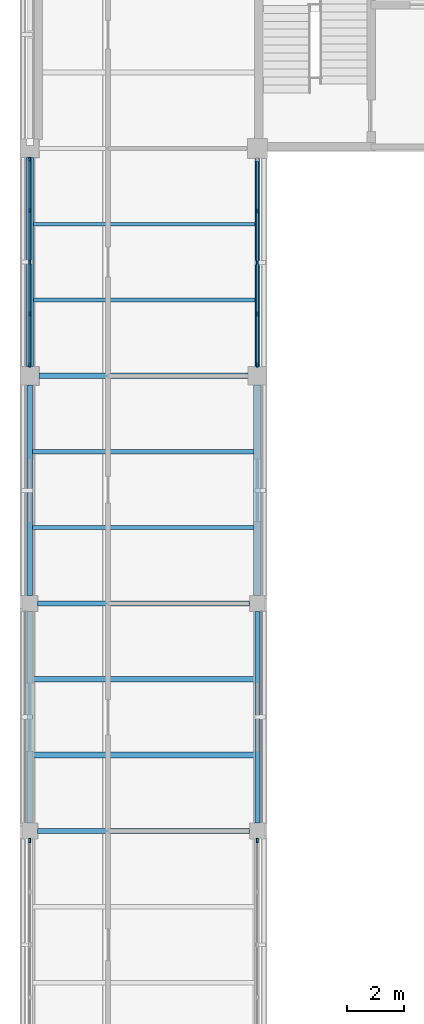
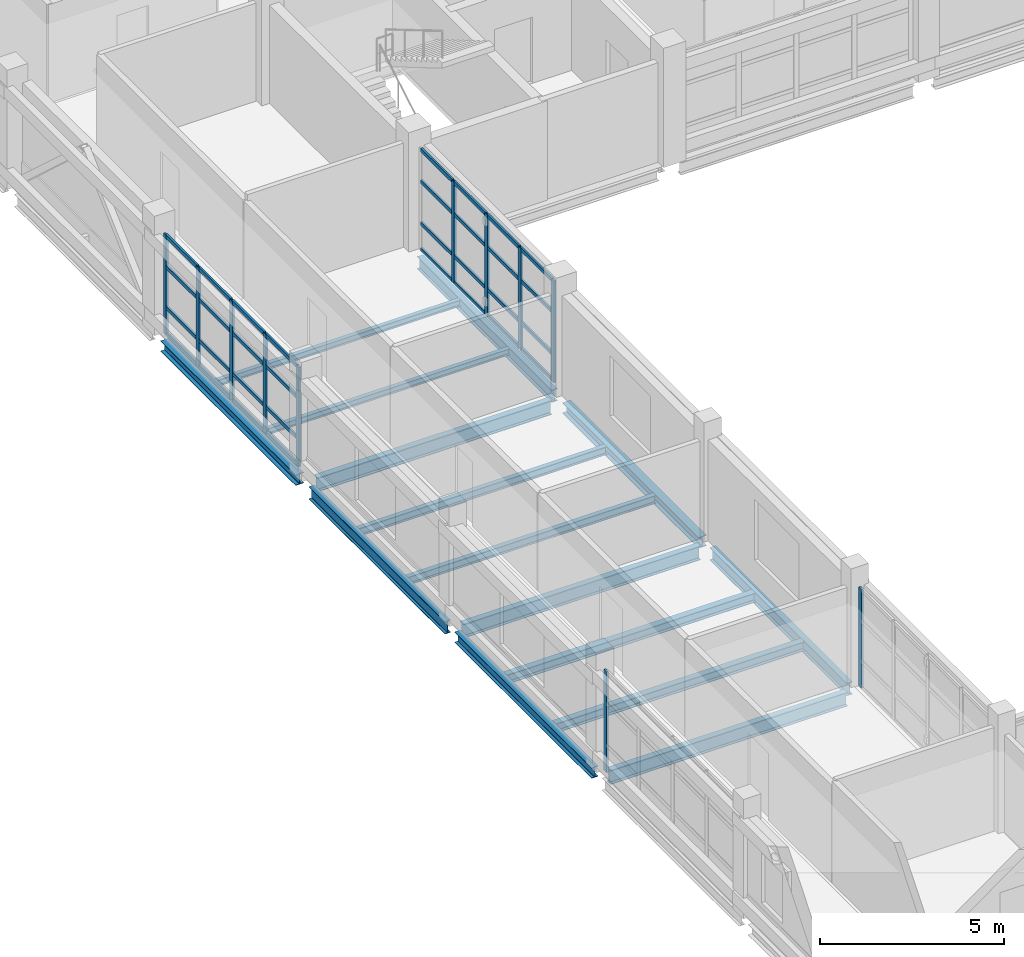
# One storey, part 23 of 92: 43 members, 15 beams, 4 elements without a shape of their own.
"""IFC4 building model written with IfcOpenShell, lengths in metres."""

from ifc_helpers import new_model, si_unit, derived_unit, direction, frame, origin, origin_2d, place, context, subcontext, project, spatial, rectangle, i_section, extrude, material, layer, layer_set, material_profile, profile_set, type_object, element, aggregate, save


model = new_model("IFC4")

# Units and contexts
model_context = context("Model", 3, precision=1e-05, world=origin(), true_north=direction((0.0, 1.0)))
body_context = subcontext(model_context, "Body", "Model", "MODEL_VIEW")
ifc_project = project(units=[si_unit("LENGTHUNIT", "METRE"), si_unit("AREAUNIT", "SQUARE_METRE"), si_unit("VOLUMEUNIT", "CUBIC_METRE"), si_unit("PLANEANGLEUNIT", "RADIAN"), si_unit("MASSUNIT", "GRAM", prefix="KILO"), derived_unit("THERMALTRANSMITTANCEUNIT", [(si_unit("MASSUNIT", "GRAM", prefix="KILO"), 1), (si_unit("TIMEUNIT", "SECOND"), -3), (si_unit("THERMODYNAMICTEMPERATUREUNIT", "KELVIN"), -1)])], contexts=[model_context])

# Site, building, storey
site_placement = place(None, origin())
site = spatial("IfcSite", under=ifc_project, at=site_placement, CompositionType="ELEMENT")
building_placement = place(site_placement, origin())
building = spatial("IfcBuilding", under=site, at=building_placement, Name="Veyamyaing Civic Hall", CompositionType="ELEMENT")
storey_placement = place(building_placement, frame((0.0, 0.0, 17.820068359375)))
storey = spatial("IfcBuildingStorey", under=building, at=storey_placement, Name="L04", CompositionType="ELEMENT", Elevation=17.820068359375)

# Beams
ifc_material_1 = material(Name="Steel ASTM A992", Category="steel")
ifc_material_profile_1 = material_profile(ifc_material_1, i_section(OverallWidth=0.19189453125, OverallDepth=0.462890625, WebThickness=0.010498046875, FlangeThickness=0.017578125, FilletRadius=0.010009765625, at=origin_2d()), Name="W460X89")
ifc_profile_set_1 = profile_set([ifc_material_profile_1], Name="Steel ASTM A992")
beam_type_1 = type_object("IfcBeamType", Name="B-08", PredefinedType="BEAM", material=ifc_profile_set_1)
beam_1_placement = place(storey_placement, frame((0.27490234375, 64.0, -0.466552734375), z_axis=(1.0, 0.0, 0.0), x_axis=(0.0, 1.0, 0.0)))
element("IfcBeam", 1, at=beam_1_placement, inside=storey, type_object=beam_type_1, Name="Girder B-08 L04 Grid J 1-2", PredefinedType="BEAM", context=body_context, shape_type="SweptSolid", body=[
    extrude(i_section(OverallWidth=0.19189453125, OverallDepth=0.462890625, WebThickness=0.010498046875, FlangeThickness=0.017578125, FilletRadius=0.010009765625, at=origin_2d()), origin(), (0.0, 0.0, 1.0), 7.4501953125),
])
ifc_material_profile_2 = material_profile(ifc_material_1, i_section(OverallWidth=0.18994140625, OverallDepth=0.45703125, WebThickness=0.009033203125, FlangeThickness=0.014404296875, FilletRadius=0.010009765625, at=origin_2d()), Name="W460X74")
ifc_profile_set_2 = profile_set([ifc_material_profile_2], Name="Steel ASTM A992")
beam_type_2 = type_object("IfcBeamType", Name="B-09", PredefinedType="BEAM", material=ifc_profile_set_2)
beam_2_placement = place(storey_placement, frame((0.27490234375, 72.0, -0.463623046875), z_axis=(1.0, 0.0, 0.0), x_axis=(0.0, 1.0, 0.0)))
element("IfcBeam", 2, at=beam_2_placement, inside=storey, type_object=beam_type_2, Name="Girder B-09 L04 Grid K 1-2", PredefinedType="BEAM", context=body_context, shape_type="SweptSolid", body=[
    extrude(i_section(OverallWidth=0.18994140625, OverallDepth=0.45703125, WebThickness=0.009033203125, FlangeThickness=0.014404296875, FilletRadius=0.010009765625, at=origin_2d()), origin(), (0.0, 0.0, 1.0), 7.4501953125),
])
ifc_material_profile_3 = material_profile(ifc_material_1, i_section(OverallWidth=0.179931640625, OverallDepth=0.4130859375, WebThickness=0.009765625, FlangeThickness=0.01611328125, FilletRadius=0.010009765625, at=origin_2d()), Name="W410X74")
ifc_profile_set_3 = profile_set([ifc_material_profile_3], Name="Steel ASTM A992")
beam_type_3 = type_object("IfcBeamType", Name="B-10", PredefinedType="SPANDREL", material=ifc_profile_set_3)
beam_3_placement = place(storey_placement, frame((8.0, 80.324951171875, -0.441650390625), z_axis=(0.0, 1.0, 0.0), x_axis=(-1.0, 0.0, 0.0)))
element("IfcBeam", 3, at=beam_3_placement, inside=storey, type_object=beam_type_3, Name="Girder B-10 L04 Grid 2 L-M", PredefinedType="SPANDREL", context=body_context, shape_type="SweptSolid", body=[
    extrude(i_section(OverallWidth=0.179931640625, OverallDepth=0.4130859375, WebThickness=0.009765625, FlangeThickness=0.01611328125, FilletRadius=0.010009765625, at=origin_2d()), origin(), (0.0, 0.0, 1.0), 7.324951171875),
])
ifc_material_profile_4 = material_profile(ifc_material_1, i_section(OverallWidth=0.2041015625, OverallDepth=0.35009765625, WebThickness=0.0078125, FlangeThickness=0.01513671875, FilletRadius=0.010009765625, at=origin_2d()), Name="W360X72")
ifc_profile_set_4 = profile_set([ifc_material_profile_4], Name="Steel ASTM A992")
beam_type_4 = type_object("IfcBeamType", Name="B-11", PredefinedType="SPANDREL", material=ifc_profile_set_4)
beam_4_placement = place(storey_placement, frame((0.0, 64.27490234375, -0.41015625), z_axis=(0.0, 1.0, 0.0), x_axis=(-1.0, 0.0, 0.0)))
element("IfcBeam", 4, at=beam_4_placement, inside=storey, type_object=beam_type_4, Name="Girder B-11 L04 Grid 1 J-K", PredefinedType="SPANDREL", context=body_context, shape_type="SweptSolid", body=[
    extrude(i_section(OverallWidth=0.2041015625, OverallDepth=0.35009765625, WebThickness=0.0078125, FlangeThickness=0.01513671875, FilletRadius=0.010009765625, at=origin_2d()), origin(), (0.0, 0.0, 1.0), 7.4501953125),
])
ifc_material_profile_5 = material_profile(ifc_material_1, i_section(OverallWidth=0.194091796875, OverallDepth=0.468994140625, WebThickness=0.0126953125, FlangeThickness=0.0205078125, FilletRadius=0.010009765625, at=origin_2d()), Name="W460X106")
ifc_profile_set_5 = profile_set([ifc_material_profile_5], Name="Steel ASTM A992")
beam_type_5 = type_object("IfcBeamType", Name="B-18", PredefinedType="BEAM", material=ifc_profile_set_5)
beam_5_placement = place(storey_placement, frame((0.324951171875, 80.0, -0.469482421875), z_axis=(1.0, 0.0, 0.0), x_axis=(0.0, 1.0, 0.0)))
element("IfcBeam", 5, at=beam_5_placement, inside=storey, type_object=beam_type_5, Name="Girder B-18 L04 Grid L 1-2", PredefinedType="BEAM", context=body_context, shape_type="SweptSolid", body=[
    extrude(i_section(OverallWidth=0.194091796875, OverallDepth=0.468994140625, WebThickness=0.0126953125, FlangeThickness=0.0205078125, FilletRadius=0.010009765625, at=origin_2d()), origin(), (0.0, 0.0, 1.0), 7.35009765625),
])
ifc_material_profile_6 = material_profile(ifc_material_1, i_section(OverallWidth=0.180908203125, OverallDepth=0.4169921875, WebThickness=0.010986328125, FlangeThickness=0.018310546875, FilletRadius=0.010009765625, at=origin_2d()), Name="W410X85")
ifc_profile_set_6 = profile_set([ifc_material_profile_6], Name="Steel ASTM A992")
beam_type_6 = type_object("IfcBeamType", Name="B-19", PredefinedType="SPANDREL", material=ifc_profile_set_6)
beam_6_placement = place(storey_placement, frame((0.0, 72.27490234375, -0.443603515625), z_axis=(0.0, 1.0, 0.0), x_axis=(-1.0, 0.0, 0.0)))
element("IfcBeam", 6, at=beam_6_placement, inside=storey, type_object=beam_type_6, Name="Girder B-19 L04 Grid 1 K-L", PredefinedType="SPANDREL", context=body_context, shape_type="SweptSolid", body=[
    extrude(i_section(OverallWidth=0.180908203125, OverallDepth=0.4169921875, WebThickness=0.010986328125, FlangeThickness=0.018310546875, FilletRadius=0.010009765625, at=origin_2d()), origin(), (0.0, 0.0, 1.0), 7.400146484375),
])
beam_7_placement = place(storey_placement, frame((8.0, 64.27490234375, -0.443603515625), z_axis=(0.0, 1.0, 0.0), x_axis=(-1.0, 0.0, 0.0)))
element("IfcBeam", 7, at=beam_7_placement, inside=storey, type_object=beam_type_6, Name="Girder B-19 L04 Grid 2 J-K", PredefinedType="SPANDREL", context=body_context, shape_type="SweptSolid", body=[
    extrude(i_section(OverallWidth=0.180908203125, OverallDepth=0.4169921875, WebThickness=0.010986328125, FlangeThickness=0.018310546875, FilletRadius=0.010009765625, at=origin_2d()), origin(), (0.0, 0.0, 1.0), 7.4501953125),
])
ifc_material_profile_7 = material_profile(ifc_material_1, i_section(OverallWidth=0.25390625, OverallDepth=0.35302734375, WebThickness=0.009521484375, FlangeThickness=0.016357421875, FilletRadius=0.011962890625, at=origin_2d()), Name="W360X91")
ifc_profile_set_7 = profile_set([ifc_material_profile_7], Name="Steel ASTM A992")
beam_type_7 = type_object("IfcBeamType", Name="B-20", PredefinedType="SPANDREL", material=ifc_profile_set_7)
beam_8_placement = place(storey_placement, frame((0.0, 80.324951171875, -0.41162109375), z_axis=(0.0, 1.0, 0.0), x_axis=(-1.0, 0.0, 0.0)))
element("IfcBeam", 8, at=beam_8_placement, inside=storey, type_object=beam_type_7, Name="Girder B-20 L04 Grid 1 L-M", PredefinedType="SPANDREL", context=body_context, shape_type="SweptSolid", body=[
    extrude(i_section(OverallWidth=0.25390625, OverallDepth=0.35302734375, WebThickness=0.009521484375, FlangeThickness=0.016357421875, FilletRadius=0.011962890625, at=origin_2d()), origin(), (0.0, 0.0, 1.0), 7.35009765625),
])
beam_9_placement = place(storey_placement, frame((8.0, 72.27490234375, -0.41162109375), z_axis=(0.0, 1.0, 0.0), x_axis=(-1.0, 0.0, 0.0)))
element("IfcBeam", 9, at=beam_9_placement, inside=storey, type_object=beam_type_7, Name="Girder B-20 L04 Grid 2 K-L", PredefinedType="SPANDREL", context=body_context, shape_type="SweptSolid", body=[
    extrude(i_section(OverallWidth=0.25390625, OverallDepth=0.35302734375, WebThickness=0.009521484375, FlangeThickness=0.016357421875, FilletRadius=0.011962890625, at=origin_2d()), origin(), (0.0, 0.0, 1.0), 7.400146484375),
])

# Curtain wall, member
ifc_material_2 = material(Name="Anodised aluminium 6063-T6", Category="aluminium")
ifc_layer = layer(ifc_material_2, 0.159912109375, Name="Anodised aluminium 6063-T6")
ifc_layer_set = layer_set([ifc_layer], Name="Anodised aluminium 6063-T6")
curtain_wall_type = type_object("IfcCurtainWallType", Name="CW-08", PredefinedType="NOTDEFINED", material=ifc_layer_set)
curtain_wall_1_placement = place(storey_placement, origin())
curtain_wall_1 = element("IfcCurtainWall", 10, at=curtain_wall_1_placement, inside=storey, type_object=curtain_wall_type, Name="Unitized curtain wall CW-08 L04 W 1.8", PredefinedType="NOTDEFINED")
ifc_material_profile_8 = material_profile(ifc_material_2, rectangle(XDim=0.06494140625, YDim=0.159912109375, at=origin_2d()), Name="ALU-MUL-65X160")
ifc_profile_set_8 = profile_set([ifc_material_profile_8], Name="Anodised aluminium 6063-T6")
member_type_1 = type_object("IfcMemberType", Name="CWM-01", PredefinedType="MULLION", material=ifc_profile_set_8)
member_1_placement = place(storey_placement, frame((0.0, 63.66259765625, 0.0), z_axis=(0.0, 0.0, 1.0), x_axis=(-1.0, 0.0, 0.0)))
member_1 = element("IfcMember", 11, at=member_1_placement, type_object=member_type_1, Name="CW-08 mullion 5", PredefinedType="MULLION", context=body_context, shape_type="SweptSolid", body=[
    extrude(rectangle(XDim=0.06494140625, YDim=0.159912109375, at=origin_2d()), origin(), (0.0, 0.0, 1.0), 3.35205078125),
])
aggregate(curtain_wall_1, [member_1])

curtain_wall_2_placement = place(storey_placement, origin())
curtain_wall_2 = element("IfcCurtainWall", 12, at=curtain_wall_2_placement, inside=storey, type_object=curtain_wall_type, Name="Unitized curtain wall CW-08 L04 E 1.8", PredefinedType="NOTDEFINED")
member_2_placement = place(storey_placement, frame((8.0, 63.66259765625, 0.0), z_axis=(0.0, 0.0, 1.0), x_axis=(-1.0, 0.0, 0.0)))
member_2 = element("IfcMember", 13, at=member_2_placement, type_object=member_type_1, Name="CW-08 mullion 5", PredefinedType="MULLION", context=body_context, shape_type="SweptSolid", body=[
    extrude(rectangle(XDim=0.06494140625, YDim=0.159912109375, at=origin_2d()), origin(), (0.0, 0.0, 1.0), 3.284912109375),
])
aggregate(curtain_wall_2, [member_2])

# Curtain wall, members
curtain_wall_3_placement = place(storey_placement, origin())
curtain_wall_3 = element("IfcCurtainWall", 14, at=curtain_wall_3_placement, inside=storey, type_object=curtain_wall_type, Name="Unitized curtain wall CW-08 L04 W 1.11", PredefinedType="NOTDEFINED")
member_3_placement = place(storey_placement, frame((0.0, 80.387451171875, 0.0), z_axis=(0.0, 0.0, 1.0), x_axis=(-1.0, 0.0, 0.0)))
member_3 = element("IfcMember", 15, at=member_3_placement, type_object=member_type_1, Name="CW-08 mullion 1", PredefinedType="MULLION", context=body_context, shape_type="SweptSolid", body=[
    extrude(rectangle(XDim=0.06494140625, YDim=0.159912109375, at=origin_2d()), origin(), (0.0, 0.0, 1.0), 3.308837890625),
])
member_4_placement = place(storey_placement, frame((0.0, 82.177490234375, 0.0), z_axis=(0.0, 0.0, 1.0), x_axis=(-1.0, 0.0, 0.0)))
member_4 = element("IfcMember", 16, at=member_4_placement, type_object=member_type_1, Name="CW-08 mullion 2", PredefinedType="MULLION", context=body_context, shape_type="SweptSolid", body=[
    extrude(rectangle(XDim=0.06494140625, YDim=0.159912109375, at=origin_2d()), origin(), (0.0, 0.0, 1.0), 3.308837890625),
])
member_5_placement = place(storey_placement, frame((0.0, 84.0, 0.0), z_axis=(0.0, 0.0, 1.0), x_axis=(-1.0, 0.0, 0.0)))
member_5 = element("IfcMember", 17, at=member_5_placement, type_object=member_type_1, Name="CW-08 mullion 3", PredefinedType="MULLION", context=body_context, shape_type="SweptSolid", body=[
    extrude(rectangle(XDim=0.06494140625, YDim=0.159912109375, at=origin_2d()), origin(), (0.0, 0.0, 1.0), 3.308837890625),
])
member_6_placement = place(storey_placement, frame((0.0, 85.822509765625, 0.0), z_axis=(0.0, 0.0, 1.0), x_axis=(-1.0, 0.0, 0.0)))
member_6 = element("IfcMember", 18, at=member_6_placement, type_object=member_type_1, Name="CW-08 mullion 4", PredefinedType="MULLION", context=body_context, shape_type="SweptSolid", body=[
    extrude(rectangle(XDim=0.06494140625, YDim=0.159912109375, at=origin_2d()), origin(), (0.0, 0.0, 1.0), 3.308837890625),
])
member_7_placement = place(storey_placement, frame((0.0, 87.612548828125, 0.0), z_axis=(0.0, 0.0, 1.0), x_axis=(-1.0, 0.0, 0.0)))
member_7 = element("IfcMember", 19, at=member_7_placement, type_object=member_type_1, Name="CW-08 mullion 5", PredefinedType="MULLION", context=body_context, shape_type="SweptSolid", body=[
    extrude(rectangle(XDim=0.06494140625, YDim=0.159912109375, at=origin_2d()), origin(), (0.0, 0.0, 1.0), 3.308837890625),
])

curtain_wall_4_placement = place(storey_placement, origin())
curtain_wall_4 = element("IfcCurtainWall", 20, at=curtain_wall_4_placement, inside=storey, type_object=curtain_wall_type, Name="Unitized curtain wall CW-08 L04 E 1.11", PredefinedType="NOTDEFINED")
member_8_placement = place(storey_placement, frame((8.0, 80.387451171875, 0.0), z_axis=(0.0, 0.0, 1.0), x_axis=(-1.0, 0.0, 0.0)))
member_8 = element("IfcMember", 21, at=member_8_placement, type_object=member_type_1, Name="CW-08 mullion 1", PredefinedType="MULLION", context=body_context, shape_type="SweptSolid", body=[
    extrude(rectangle(XDim=0.06494140625, YDim=0.159912109375, at=origin_2d()), origin(), (0.0, 0.0, 1.0), 3.371826171875),
])
member_9_placement = place(storey_placement, frame((8.0, 82.171142578125, 0.0), z_axis=(0.0, 0.0, 1.0), x_axis=(-1.0, 0.0, 0.0)))
member_9 = element("IfcMember", 22, at=member_9_placement, type_object=member_type_1, Name="CW-08 mullion 2", PredefinedType="MULLION", context=body_context, shape_type="SweptSolid", body=[
    extrude(rectangle(XDim=0.06494140625, YDim=0.159912109375, at=origin_2d()), origin(), (0.0, 0.0, 1.0), 3.371826171875),
])
member_10_placement = place(storey_placement, frame((8.0, 83.987548828125, 0.0), z_axis=(0.0, 0.0, 1.0), x_axis=(-1.0, 0.0, 0.0)))
member_10 = element("IfcMember", 23, at=member_10_placement, type_object=member_type_1, Name="CW-08 mullion 3", PredefinedType="MULLION", context=body_context, shape_type="SweptSolid", body=[
    extrude(rectangle(XDim=0.06494140625, YDim=0.159912109375, at=origin_2d()), origin(), (0.0, 0.0, 1.0), 3.371826171875),
])
member_11_placement = place(storey_placement, frame((8.0, 85.8037109375, 0.0), z_axis=(0.0, 0.0, 1.0), x_axis=(-1.0, 0.0, 0.0)))
member_11 = element("IfcMember", 24, at=member_11_placement, type_object=member_type_1, Name="CW-08 mullion 4", PredefinedType="MULLION", context=body_context, shape_type="SweptSolid", body=[
    extrude(rectangle(XDim=0.06494140625, YDim=0.159912109375, at=origin_2d()), origin(), (0.0, 0.0, 1.0), 3.371826171875),
])

# Member
ifc_material_profile_9 = material_profile(ifc_material_2, rectangle(XDim=0.06494140625, YDim=0.1201171875, at=origin_2d()), Name="ALU-TRN-65X120")
ifc_profile_set_9 = profile_set([ifc_material_profile_9], Name="Anodised aluminium 6063-T6")
member_type_2 = type_object("IfcMemberType", Name="CWT-01", PredefinedType="USERDEFINED", material=ifc_profile_set_9)
member_12_placement = place(storey_placement, frame((0.0, 80.419921875, 0.032470703125), z_axis=(0.0, 1.0, 0.0), x_axis=(-1.0, 0.0, 0.0)))
member_12 = element("IfcMember", 25, at=member_12_placement, type_object=member_type_2, Name="CW-08 transom 1.1", ObjectType="TRANSOM", PredefinedType="USERDEFINED", context=body_context, shape_type="SweptSolid", body=[
    extrude(rectangle(XDim=0.06494140625, YDim=0.1201171875, at=origin_2d()), origin(), (0.0, 0.0, 1.0), 1.72509765625),
])

member_13_placement = place(storey_placement, frame((0.0, 80.419921875, 0.89990234375), z_axis=(0.0, 1.0, 0.0), x_axis=(-1.0, 0.0, 0.0)))
member_13 = element("IfcMember", 26, at=member_13_placement, type_object=member_type_2, Name="CW-08 transom 1.2", ObjectType="TRANSOM", PredefinedType="USERDEFINED", context=body_context, shape_type="SweptSolid", body=[
    extrude(rectangle(XDim=0.06494140625, YDim=0.1201171875, at=origin_2d()), origin(), (0.0, 0.0, 1.0), 1.72509765625),
])

member_14_placement = place(storey_placement, frame((0.0, 80.419921875, 2.25), z_axis=(0.0, 1.0, 0.0), x_axis=(-1.0, 0.0, 0.0)))
member_14 = element("IfcMember", 27, at=member_14_placement, type_object=member_type_2, Name="CW-08 transom 1.3", ObjectType="TRANSOM", PredefinedType="USERDEFINED", context=body_context, shape_type="SweptSolid", body=[
    extrude(rectangle(XDim=0.06494140625, YDim=0.1201171875, at=origin_2d()), origin(), (0.0, 0.0, 1.0), 1.72509765625),
])

member_15_placement = place(storey_placement, frame((0.0, 80.419921875, 3.2763671875), z_axis=(0.0, 1.0, 0.0), x_axis=(-1.0, 0.0, 0.0)))
member_15 = element("IfcMember", 28, at=member_15_placement, type_object=member_type_2, Name="CW-08 transom 1.4", ObjectType="TRANSOM", PredefinedType="USERDEFINED", context=body_context, shape_type="SweptSolid", body=[
    extrude(rectangle(XDim=0.06494140625, YDim=0.1201171875, at=origin_2d()), origin(), (0.0, 0.0, 1.0), 1.72509765625),
])

member_16_placement = place(storey_placement, frame((0.0, 82.2099609375, 0.032470703125), z_axis=(0.0, 1.0, 0.0), x_axis=(-1.0, 0.0, 0.0)))
member_16 = element("IfcMember", 29, at=member_16_placement, type_object=member_type_2, Name="CW-08 transom 2.1", ObjectType="TRANSOM", PredefinedType="USERDEFINED", context=body_context, shape_type="SweptSolid", body=[
    extrude(rectangle(XDim=0.06494140625, YDim=0.1201171875, at=origin_2d()), origin(), (0.0, 0.0, 1.0), 1.757568359375),
])

member_17_placement = place(storey_placement, frame((0.0, 82.2099609375, 0.89990234375), z_axis=(0.0, 1.0, 0.0), x_axis=(-1.0, 0.0, 0.0)))
member_17 = element("IfcMember", 30, at=member_17_placement, type_object=member_type_2, Name="CW-08 transom 2.2", ObjectType="TRANSOM", PredefinedType="USERDEFINED", context=body_context, shape_type="SweptSolid", body=[
    extrude(rectangle(XDim=0.06494140625, YDim=0.1201171875, at=origin_2d()), origin(), (0.0, 0.0, 1.0), 1.757568359375),
])

member_18_placement = place(storey_placement, frame((0.0, 82.2099609375, 2.25), z_axis=(0.0, 1.0, 0.0), x_axis=(-1.0, 0.0, 0.0)))
member_18 = element("IfcMember", 31, at=member_18_placement, type_object=member_type_2, Name="CW-08 transom 2.3", ObjectType="TRANSOM", PredefinedType="USERDEFINED", context=body_context, shape_type="SweptSolid", body=[
    extrude(rectangle(XDim=0.06494140625, YDim=0.1201171875, at=origin_2d()), origin(), (0.0, 0.0, 1.0), 1.757568359375),
])

member_19_placement = place(storey_placement, frame((0.0, 82.2099609375, 3.2763671875), z_axis=(0.0, 1.0, 0.0), x_axis=(-1.0, 0.0, 0.0)))
member_19 = element("IfcMember", 32, at=member_19_placement, type_object=member_type_2, Name="CW-08 transom 2.4", ObjectType="TRANSOM", PredefinedType="USERDEFINED", context=body_context, shape_type="SweptSolid", body=[
    extrude(rectangle(XDim=0.06494140625, YDim=0.1201171875, at=origin_2d()), origin(), (0.0, 0.0, 1.0), 1.757568359375),
])

member_20_placement = place(storey_placement, frame((0.0, 84.032470703125, 0.032470703125), z_axis=(0.0, 1.0, 0.0), x_axis=(-1.0, 0.0, 0.0)))
member_20 = element("IfcMember", 33, at=member_20_placement, type_object=member_type_2, Name="CW-08 transom 3.1", ObjectType="TRANSOM", PredefinedType="USERDEFINED", context=body_context, shape_type="SweptSolid", body=[
    extrude(rectangle(XDim=0.06494140625, YDim=0.1201171875, at=origin_2d()), origin(), (0.0, 0.0, 1.0), 1.757568359375),
])

member_21_placement = place(storey_placement, frame((0.0, 84.032470703125, 0.89990234375), z_axis=(0.0, 1.0, 0.0), x_axis=(-1.0, 0.0, 0.0)))
member_21 = element("IfcMember", 34, at=member_21_placement, type_object=member_type_2, Name="CW-08 transom 3.2", ObjectType="TRANSOM", PredefinedType="USERDEFINED", context=body_context, shape_type="SweptSolid", body=[
    extrude(rectangle(XDim=0.06494140625, YDim=0.1201171875, at=origin_2d()), origin(), (0.0, 0.0, 1.0), 1.757568359375),
])

member_22_placement = place(storey_placement, frame((0.0, 84.032470703125, 2.25), z_axis=(0.0, 1.0, 0.0), x_axis=(-1.0, 0.0, 0.0)))
member_22 = element("IfcMember", 35, at=member_22_placement, type_object=member_type_2, Name="CW-08 transom 3.3", ObjectType="TRANSOM", PredefinedType="USERDEFINED", context=body_context, shape_type="SweptSolid", body=[
    extrude(rectangle(XDim=0.06494140625, YDim=0.1201171875, at=origin_2d()), origin(), (0.0, 0.0, 1.0), 1.757568359375),
])

member_23_placement = place(storey_placement, frame((0.0, 84.032470703125, 3.2763671875), z_axis=(0.0, 1.0, 0.0), x_axis=(-1.0, 0.0, 0.0)))
member_23 = element("IfcMember", 36, at=member_23_placement, type_object=member_type_2, Name="CW-08 transom 3.4", ObjectType="TRANSOM", PredefinedType="USERDEFINED", context=body_context, shape_type="SweptSolid", body=[
    extrude(rectangle(XDim=0.06494140625, YDim=0.1201171875, at=origin_2d()), origin(), (0.0, 0.0, 1.0), 1.757568359375),
])

member_24_placement = place(storey_placement, frame((0.0, 85.85498046875, 0.032470703125), z_axis=(0.0, 1.0, 0.0), x_axis=(-1.0, 0.0, 0.0)))
member_24 = element("IfcMember", 37, at=member_24_placement, type_object=member_type_2, Name="CW-08 transom 4.1", ObjectType="TRANSOM", PredefinedType="USERDEFINED", context=body_context, shape_type="SweptSolid", body=[
    extrude(rectangle(XDim=0.06494140625, YDim=0.1201171875, at=origin_2d()), origin(), (0.0, 0.0, 1.0), 1.72509765625),
])

member_25_placement = place(storey_placement, frame((0.0, 85.85498046875, 0.89990234375), z_axis=(0.0, 1.0, 0.0), x_axis=(-1.0, 0.0, 0.0)))
member_25 = element("IfcMember", 38, at=member_25_placement, type_object=member_type_2, Name="CW-08 transom 4.2", ObjectType="TRANSOM", PredefinedType="USERDEFINED", context=body_context, shape_type="SweptSolid", body=[
    extrude(rectangle(XDim=0.06494140625, YDim=0.1201171875, at=origin_2d()), origin(), (0.0, 0.0, 1.0), 1.72509765625),
])

member_26_placement = place(storey_placement, frame((0.0, 85.85498046875, 2.25), z_axis=(0.0, 1.0, 0.0), x_axis=(-1.0, 0.0, 0.0)))
member_26 = element("IfcMember", 39, at=member_26_placement, type_object=member_type_2, Name="CW-08 transom 4.3", ObjectType="TRANSOM", PredefinedType="USERDEFINED", context=body_context, shape_type="SweptSolid", body=[
    extrude(rectangle(XDim=0.06494140625, YDim=0.1201171875, at=origin_2d()), origin(), (0.0, 0.0, 1.0), 1.72509765625),
])

member_27_placement = place(storey_placement, frame((0.0, 85.85498046875, 3.2763671875), z_axis=(0.0, 1.0, 0.0), x_axis=(-1.0, 0.0, 0.0)))
member_27 = element("IfcMember", 40, at=member_27_placement, type_object=member_type_2, Name="CW-08 transom 4.4", ObjectType="TRANSOM", PredefinedType="USERDEFINED", context=body_context, shape_type="SweptSolid", body=[
    extrude(rectangle(XDim=0.06494140625, YDim=0.1201171875, at=origin_2d()), origin(), (0.0, 0.0, 1.0), 1.72509765625),
])

aggregate(curtain_wall_3, [member_3, member_4, member_5, member_6, member_7, member_12, member_13, member_14, member_15, member_16, member_17, member_18, member_19, member_20, member_21, member_22, member_23, member_24, member_25, member_26, member_27])

member_28_placement = place(storey_placement, frame((8.0, 80.419921875, 0.032470703125), z_axis=(0.0, 1.0, 0.0), x_axis=(-1.0, 0.0, 0.0)))
member_28 = element("IfcMember", 41, at=member_28_placement, type_object=member_type_2, Name="CW-08 transom 1.1", ObjectType="TRANSOM", PredefinedType="USERDEFINED", context=body_context, shape_type="SweptSolid", body=[
    extrude(rectangle(XDim=0.06494140625, YDim=0.1201171875, at=origin_2d()), origin(), (0.0, 0.0, 1.0), 1.71875),
])

member_29_placement = place(storey_placement, frame((8.0, 80.419921875, 0.89990234375), z_axis=(0.0, 1.0, 0.0), x_axis=(-1.0, 0.0, 0.0)))
member_29 = element("IfcMember", 42, at=member_29_placement, type_object=member_type_2, Name="CW-08 transom 1.2", ObjectType="TRANSOM", PredefinedType="USERDEFINED", context=body_context, shape_type="SweptSolid", body=[
    extrude(rectangle(XDim=0.06494140625, YDim=0.1201171875, at=origin_2d()), origin(), (0.0, 0.0, 1.0), 1.71875),
])

member_30_placement = place(storey_placement, frame((8.0, 80.419921875, 2.29296875), z_axis=(0.0, 1.0, 0.0), x_axis=(-1.0, 0.0, 0.0)))
member_30 = element("IfcMember", 43, at=member_30_placement, type_object=member_type_2, Name="CW-08 transom 1.3", ObjectType="TRANSOM", PredefinedType="USERDEFINED", context=body_context, shape_type="SweptSolid", body=[
    extrude(rectangle(XDim=0.06494140625, YDim=0.1201171875, at=origin_2d()), origin(), (0.0, 0.0, 1.0), 1.71875),
])

member_31_placement = place(storey_placement, frame((8.0, 80.419921875, 3.33935546875), z_axis=(0.0, 1.0, 0.0), x_axis=(-1.0, 0.0, 0.0)))
member_31 = element("IfcMember", 44, at=member_31_placement, type_object=member_type_2, Name="CW-08 transom 1.4", ObjectType="TRANSOM", PredefinedType="USERDEFINED", context=body_context, shape_type="SweptSolid", body=[
    extrude(rectangle(XDim=0.06494140625, YDim=0.1201171875, at=origin_2d()), origin(), (0.0, 0.0, 1.0), 1.71875),
])

member_32_placement = place(storey_placement, frame((8.0, 82.203857421875, 0.032470703125), z_axis=(0.0, 1.0, 0.0), x_axis=(-1.0, 0.0, 0.0)))
member_32 = element("IfcMember", 45, at=member_32_placement, type_object=member_type_2, Name="CW-08 transom 2.1", ObjectType="TRANSOM", PredefinedType="USERDEFINED", context=body_context, shape_type="SweptSolid", body=[
    extrude(rectangle(XDim=0.06494140625, YDim=0.1201171875, at=origin_2d()), origin(), (0.0, 0.0, 1.0), 1.751220703125),
])

member_33_placement = place(storey_placement, frame((8.0, 82.203857421875, 0.89990234375), z_axis=(0.0, 1.0, 0.0), x_axis=(-1.0, 0.0, 0.0)))
member_33 = element("IfcMember", 46, at=member_33_placement, type_object=member_type_2, Name="CW-08 transom 2.2", ObjectType="TRANSOM", PredefinedType="USERDEFINED", context=body_context, shape_type="SweptSolid", body=[
    extrude(rectangle(XDim=0.06494140625, YDim=0.1201171875, at=origin_2d()), origin(), (0.0, 0.0, 1.0), 1.751220703125),
])

member_34_placement = place(storey_placement, frame((8.0, 82.203857421875, 2.29296875), z_axis=(0.0, 1.0, 0.0), x_axis=(-1.0, 0.0, 0.0)))
member_34 = element("IfcMember", 47, at=member_34_placement, type_object=member_type_2, Name="CW-08 transom 2.3", ObjectType="TRANSOM", PredefinedType="USERDEFINED", context=body_context, shape_type="SweptSolid", body=[
    extrude(rectangle(XDim=0.06494140625, YDim=0.1201171875, at=origin_2d()), origin(), (0.0, 0.0, 1.0), 1.751220703125),
])

member_35_placement = place(storey_placement, frame((8.0, 82.203857421875, 3.33935546875), z_axis=(0.0, 1.0, 0.0), x_axis=(-1.0, 0.0, 0.0)))
member_35 = element("IfcMember", 48, at=member_35_placement, type_object=member_type_2, Name="CW-08 transom 2.4", ObjectType="TRANSOM", PredefinedType="USERDEFINED", context=body_context, shape_type="SweptSolid", body=[
    extrude(rectangle(XDim=0.06494140625, YDim=0.1201171875, at=origin_2d()), origin(), (0.0, 0.0, 1.0), 1.751220703125),
])

member_36_placement = place(storey_placement, frame((8.0, 84.02001953125, 0.032470703125), z_axis=(0.0, 1.0, 0.0), x_axis=(-1.0, 0.0, 0.0)))
member_36 = element("IfcMember", 49, at=member_36_placement, type_object=member_type_2, Name="CW-08 transom 3.1", ObjectType="TRANSOM", PredefinedType="USERDEFINED", context=body_context, shape_type="SweptSolid", body=[
    extrude(rectangle(XDim=0.06494140625, YDim=0.1201171875, at=origin_2d()), origin(), (0.0, 0.0, 1.0), 1.751220703125),
])

member_37_placement = place(storey_placement, frame((8.0, 84.02001953125, 0.89990234375), z_axis=(0.0, 1.0, 0.0), x_axis=(-1.0, 0.0, 0.0)))
member_37 = element("IfcMember", 50, at=member_37_placement, type_object=member_type_2, Name="CW-08 transom 3.2", ObjectType="TRANSOM", PredefinedType="USERDEFINED", context=body_context, shape_type="SweptSolid", body=[
    extrude(rectangle(XDim=0.06494140625, YDim=0.1201171875, at=origin_2d()), origin(), (0.0, 0.0, 1.0), 1.751220703125),
])

member_38_placement = place(storey_placement, frame((8.0, 84.02001953125, 2.29296875), z_axis=(0.0, 1.0, 0.0), x_axis=(-1.0, 0.0, 0.0)))
member_38 = element("IfcMember", 51, at=member_38_placement, type_object=member_type_2, Name="CW-08 transom 3.3", ObjectType="TRANSOM", PredefinedType="USERDEFINED", context=body_context, shape_type="SweptSolid", body=[
    extrude(rectangle(XDim=0.06494140625, YDim=0.1201171875, at=origin_2d()), origin(), (0.0, 0.0, 1.0), 1.751220703125),
])

member_39_placement = place(storey_placement, frame((8.0, 84.02001953125, 3.33935546875), z_axis=(0.0, 1.0, 0.0), x_axis=(-1.0, 0.0, 0.0)))
member_39 = element("IfcMember", 52, at=member_39_placement, type_object=member_type_2, Name="CW-08 transom 3.4", ObjectType="TRANSOM", PredefinedType="USERDEFINED", context=body_context, shape_type="SweptSolid", body=[
    extrude(rectangle(XDim=0.06494140625, YDim=0.1201171875, at=origin_2d()), origin(), (0.0, 0.0, 1.0), 1.751220703125),
])

member_40_placement = place(storey_placement, frame((8.0, 85.836181640625, 0.032470703125), z_axis=(0.0, 1.0, 0.0), x_axis=(-1.0, 0.0, 0.0)))
member_40 = element("IfcMember", 53, at=member_40_placement, type_object=member_type_2, Name="CW-08 transom 4.1", ObjectType="TRANSOM", PredefinedType="USERDEFINED", context=body_context, shape_type="SweptSolid", body=[
    extrude(rectangle(XDim=0.06494140625, YDim=0.1201171875, at=origin_2d()), origin(), (0.0, 0.0, 1.0), 1.71875),
])

member_41_placement = place(storey_placement, frame((8.0, 85.836181640625, 0.89990234375), z_axis=(0.0, 1.0, 0.0), x_axis=(-1.0, 0.0, 0.0)))
member_41 = element("IfcMember", 54, at=member_41_placement, type_object=member_type_2, Name="CW-08 transom 4.2", ObjectType="TRANSOM", PredefinedType="USERDEFINED", context=body_context, shape_type="SweptSolid", body=[
    extrude(rectangle(XDim=0.06494140625, YDim=0.1201171875, at=origin_2d()), origin(), (0.0, 0.0, 1.0), 1.71875),
])

member_42_placement = place(storey_placement, frame((8.0, 85.836181640625, 2.29296875), z_axis=(0.0, 1.0, 0.0), x_axis=(-1.0, 0.0, 0.0)))
member_42 = element("IfcMember", 55, at=member_42_placement, type_object=member_type_2, Name="CW-08 transom 4.3", ObjectType="TRANSOM", PredefinedType="USERDEFINED", context=body_context, shape_type="SweptSolid", body=[
    extrude(rectangle(XDim=0.06494140625, YDim=0.1201171875, at=origin_2d()), origin(), (0.0, 0.0, 1.0), 1.71875),
])

member_43_placement = place(storey_placement, frame((8.0, 85.836181640625, 3.33935546875), z_axis=(0.0, 1.0, 0.0), x_axis=(-1.0, 0.0, 0.0)))
member_43 = element("IfcMember", 56, at=member_43_placement, type_object=member_type_2, Name="CW-08 transom 4.4", ObjectType="TRANSOM", PredefinedType="USERDEFINED", context=body_context, shape_type="SweptSolid", body=[
    extrude(rectangle(XDim=0.06494140625, YDim=0.1201171875, at=origin_2d()), origin(), (0.0, 0.0, 1.0), 1.71875),
])

aggregate(curtain_wall_4, [member_8, member_9, member_10, member_11, member_28, member_29, member_30, member_31, member_32, member_33, member_34, member_35, member_36, member_37, member_38, member_39, member_40, member_41, member_42, member_43])

# Beams
ifc_material_profile_10 = material_profile(ifc_material_1, i_section(OverallWidth=0.2041015625, OverallDepth=0.305908203125, WebThickness=0.008544921875, FlangeThickness=0.0146484375, FilletRadius=0.010009765625, at=origin_2d()), Name="W310X67")
ifc_profile_set_10 = profile_set([ifc_material_profile_10], Name="Steel ASTM A992")
beam_type_8 = type_object("IfcBeamType", Name="J-06", PredefinedType="JOIST", material=ifc_profile_set_10)
for number, where, z_axis, x_axis, name in (
    (57, (0.10009765625, 66.666748046875, -0.38818359375), (1.0, 0.0, 0.0), (0.0, 1.0, 0.0), "Composite floor joist J-06 L04 1.9.1"),
    (58, (0.10009765625, 69.333251953125, -0.38818359375), (1.0, 0.0, 0.0), (0.0, 1.0, 0.0), "Composite floor joist J-06 L04 1.9.2"),
):
    element("IfcBeam", number, at=place(storey_placement, frame(where, z_axis=z_axis, x_axis=x_axis)), inside=storey, type_object=beam_type_8, Name=name, PredefinedType="JOIST", context=body_context, shape_type="SweptSolid", body=[
        extrude(i_section(OverallWidth=0.2041015625, OverallDepth=0.305908203125, WebThickness=0.008544921875, FlangeThickness=0.0146484375, FilletRadius=0.010009765625, at=origin_2d()), origin(), (0.0, 0.0, 1.0), 7.8115234375),
    ])
ifc_material_profile_11 = material_profile(ifc_material_1, i_section(OverallWidth=0.14794921875, OverallDepth=0.26611328125, WebThickness=0.007568359375, FlangeThickness=0.012939453125, FilletRadius=0.010009765625, at=origin_2d()), Name="W250X45")
ifc_profile_set_11 = profile_set([ifc_material_profile_11], Name="Steel ASTM A992")
beam_type_9 = type_object("IfcBeamType", Name="J-07", PredefinedType="JOIST", material=ifc_profile_set_11)
for number, where, z_axis, x_axis, name in (
    (59, (0.08837890625, 74.666748046875, -0.3681640625), (1.0, 0.0, 0.0), (0.0, 1.0, 0.0), "Composite floor joist J-07 L04 1.10.1"),
    (60, (0.08837890625, 77.333251953125, -0.3681640625), (1.0, 0.0, 0.0), (0.0, 1.0, 0.0), "Composite floor joist J-07 L04 1.10.2"),
):
    element("IfcBeam", number, at=place(storey_placement, frame(where, z_axis=z_axis, x_axis=x_axis)), inside=storey, type_object=beam_type_9, Name=name, PredefinedType="JOIST", context=body_context, shape_type="SweptSolid", body=[
        extrude(i_section(OverallWidth=0.14794921875, OverallDepth=0.26611328125, WebThickness=0.007568359375, FlangeThickness=0.012939453125, FilletRadius=0.010009765625, at=origin_2d()), origin(), (0.0, 0.0, 1.0), 7.78662109375),
    ])
ifc_material_profile_12 = material_profile(ifc_material_1, i_section(OverallWidth=0.133056640625, OverallDepth=0.20703125, WebThickness=0.005859375, FlangeThickness=0.00830078125, FilletRadius=0.010009765625, at=origin_2d()), Name="W200X27")
ifc_profile_set_12 = profile_set([ifc_material_profile_12], Name="Steel ASTM A992")
beam_type_10 = type_object("IfcBeamType", Name="J-08", PredefinedType="JOIST", material=ifc_profile_set_12)
for number, where, z_axis, x_axis, name in (
    (61, (0.125, 82.666748046875, -0.338623046875), (1.0, 0.0, 0.0), (0.0, 1.0, 0.0), "Composite floor joist J-08 L04 1.11.1"),
    (62, (0.125, 85.333251953125, -0.338623046875), (1.0, 0.0, 0.0), (0.0, 1.0, 0.0), "Composite floor joist J-08 L04 1.11.2"),
):
    element("IfcBeam", number, at=place(storey_placement, frame(where, z_axis=z_axis, x_axis=x_axis)), inside=storey, type_object=beam_type_10, Name=name, PredefinedType="JOIST", context=body_context, shape_type="SweptSolid", body=[
        extrude(i_section(OverallWidth=0.133056640625, OverallDepth=0.20703125, WebThickness=0.005859375, FlangeThickness=0.00830078125, FilletRadius=0.010009765625, at=origin_2d()), origin(), (0.0, 0.0, 1.0), 7.787109375),
    ])

save(model, "model.ifc")
